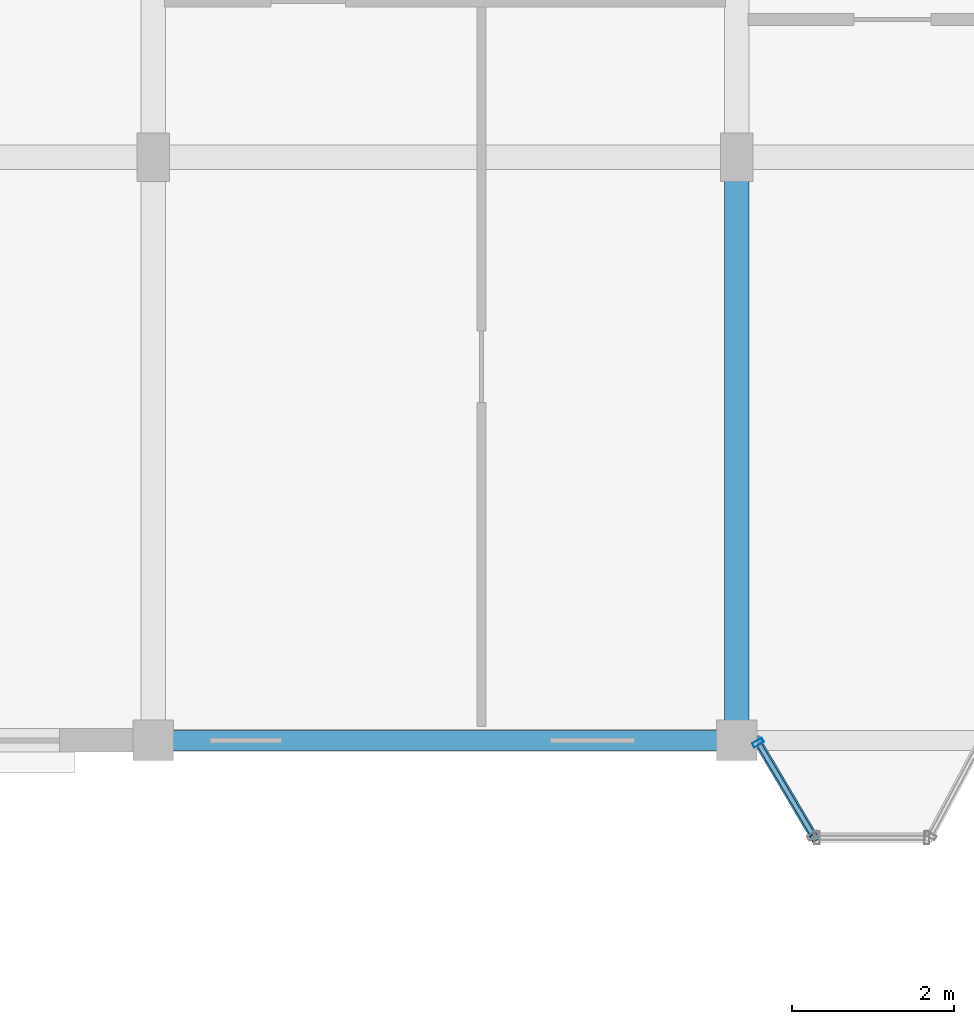
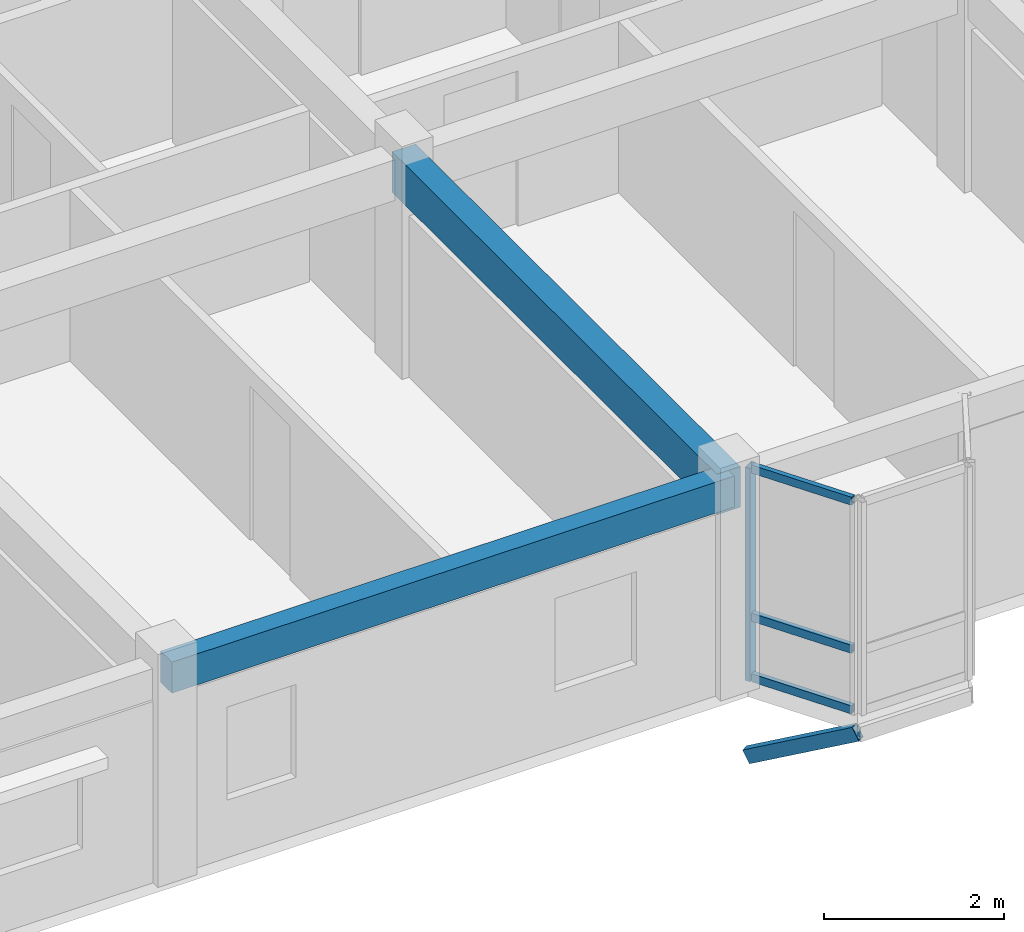
# One storey, part 30 of 65: 5 members, 2 beams, 1 element without a shape of its own.
"""IFC4 building model written with IfcOpenShell, lengths in metres."""

from ifc_helpers import new_model, si_unit, direction, frame, origin, origin_2d, place, context, subcontext, project, spatial, rectangle, hollow_rectangle, extrude, material, layer, layer_set, material_profile, profile_set, type_object, element, aggregate, save


model = new_model("IFC4")

# Units and contexts
model_context = context("Model", 3, precision=1e-05, world=origin(), true_north=direction((0.0, 1.0)))
body_context = subcontext(model_context, "Body", "Model", "MODEL_VIEW")
ifc_project = project(units=[si_unit("LENGTHUNIT", "METRE"), si_unit("AREAUNIT", "SQUARE_METRE"), si_unit("VOLUMEUNIT", "CUBIC_METRE"), si_unit("PLANEANGLEUNIT", "RADIAN"), si_unit("MASSUNIT", "GRAM", prefix="KILO"), si_unit("THERMODYNAMICTEMPERATUREUNIT", "KELVIN"), si_unit("POWERUNIT", "WATT")], contexts=[model_context])

# Site, building, storey
site_placement = place(None, origin())
site = spatial("IfcSite", under=ifc_project, at=site_placement, CompositionType="ELEMENT")
building_placement = place(site_placement, origin())
building = spatial("IfcBuilding", under=site, at=building_placement, Name="Tavuni Mirador Residences", CompositionType="ELEMENT")
storey_placement = place(building_placement, frame((0.0, 0.0, 29.699951171875)))
storey = spatial("IfcBuildingStorey", under=building, at=storey_placement, Name="L09", CompositionType="ELEMENT", Elevation=29.699951171875)

# Beams
ifc_material_1 = material(Name="Precast concrete C40/50", Category="concrete")
ifc_material_profile_1 = material_profile(ifc_material_1, rectangle(XDim=0.300048828125, YDim=0.550048828125, at=origin_2d()), Name="PC 300x550", Category="concrete")
ifc_profile_set_1 = profile_set([ifc_material_profile_1], Name="Precast concrete C40/50")
beam_type_1 = type_object("IfcBeamType", Name="BT-B550", PredefinedType="BEAM", material=ifc_profile_set_1)
beam_1_placement = place(storey_placement, frame((32.39990234375, 144.0, 2.610107421875), z_axis=(0.0, 1.0, 0.0), x_axis=(-1.0, 0.0, 0.0)))
element("IfcBeam", 1, at=beam_1_placement, inside=storey, type_object=beam_type_1, Name="BMY-BLK-C-L09-03-00", PredefinedType="BEAM", context=body_context, shape_type="SweptSolid", body=[
    extrude(rectangle(XDim=0.300048828125, YDim=0.550048828125, at=origin_2d()), origin(), (0.0, 0.0, 1.0), 7.199951171875),
])
ifc_material_profile_2 = material_profile(ifc_material_1, rectangle(XDim=0.25, YDim=0.419921875, at=origin_2d()), Name="PC 250x420", Category="concrete")
ifc_profile_set_2 = profile_set([ifc_material_profile_2], Name="Precast concrete C40/50")
beam_type_2 = type_object("IfcBeamType", Name="BT-SP420", PredefinedType="SPANDREL", material=ifc_profile_set_2)
beam_2_placement = place(storey_placement, frame((25.199951171875, 144.0, 2.675048828125), z_axis=(1.0, 0.0, 0.0), x_axis=(0.0, 1.0, 0.0)))
element("IfcBeam", 2, at=beam_2_placement, inside=storey, type_object=beam_type_2, Name="BMX-BLK-C-L09-02-00", PredefinedType="SPANDREL", context=body_context, shape_type="SweptSolid", body=[
    extrude(rectangle(XDim=0.25, YDim=0.419921875, at=origin_2d()), origin(), (0.0, 0.0, 1.0), 7.199951171875),
])

# Curtain wall, members
ifc_material_2 = material(Name="Anodised aluminium", Category="aluminium")
ifc_layer = layer(ifc_material_2, 0.1650390625, Name="Anodised aluminium", Category="aluminium")
ifc_layer_set = layer_set([ifc_layer], Name="Anodised aluminium")
curtain_wall_type = type_object("IfcCurtainWallType", Name="CWT-MIR-A", PredefinedType="NOTDEFINED", material=ifc_layer_set)
curtain_wall_placement = place(storey_placement, origin())
curtain_wall = element("IfcCurtainWall", 3, at=curtain_wall_placement, inside=storey, type_object=curtain_wall_type, Name="CW-MIR-C-S2-L09-M1", PredefinedType="NOTDEFINED")
ifc_material_profile_3 = material_profile(ifc_material_2, hollow_rectangle(XDim=0.06005859375, YDim=0.139892578125, WallThickness=0.00390625, at=origin_2d()), Name="ALU 60x140x4.0", Category="aluminium")
ifc_profile_set_3 = profile_set([ifc_material_profile_3], Name="Anodised aluminium")
member_type_1 = type_object("IfcMemberType", Name="CWM-140", PredefinedType="MULLION", material=ifc_profile_set_3)
member_1_placement = place(storey_placement, frame((32.665283203125, 143.97412109375, 0.0), z_axis=(0.0, 0.0, 1.0), x_axis=(0.509212491254, -0.860640830284, 0.0)))
member_1 = element("IfcMember", 4, at=member_1_placement, type_object=member_type_1, Name="CW-01 mullion 1", PredefinedType="MULLION", context=body_context, shape_type="SweptSolid", body=[
    extrude(hollow_rectangle(XDim=0.06005859375, YDim=0.139892578125, WallThickness=0.00390625, at=origin_2d()), origin(), (0.0, 0.0, 1.0), 2.885009765625),
])
ifc_material_profile_4 = material_profile(ifc_material_2, hollow_rectangle(XDim=0.06005859375, YDim=0.110107421875, WallThickness=0.00390625, at=origin_2d()), Name="ALU 60x110x4.0", Category="aluminium")
ifc_profile_set_4 = profile_set([ifc_material_profile_4], Name="Anodised aluminium")
member_type_2 = type_object("IfcMemberType", Name="CWT-110", PredefinedType="USERDEFINED", material=ifc_profile_set_4)
member_2_placement = place(storey_placement, frame((32.6806640625, 143.9482421875, 0.030029296875), z_axis=(0.509103678098, -0.860705202114, 0.0), x_axis=(0.860705202114, 0.509103678098, 0.0)))
member_2 = element("IfcMember", 5, at=member_2_placement, type_object=member_type_2, Name="CW-01 transom 1.1", ObjectType="TRANSOM", PredefinedType="USERDEFINED", context=body_context, shape_type="SweptSolid", body=[
    extrude(hollow_rectangle(XDim=0.06005859375, YDim=0.110107421875, WallThickness=0.00390625, at=origin_2d()), origin(), (0.0, 0.0, 1.0), 1.274169921875),
])
member_3_placement = place(storey_placement, frame((32.6806640625, 143.9482421875, 0.85009765625), z_axis=(0.509103678098, -0.860705202114, 0.0), x_axis=(0.860705202114, 0.509103678098, 0.0)))
member_3 = element("IfcMember", 6, at=member_3_placement, type_object=member_type_2, Name="CW-01 transom 1.2", ObjectType="TRANSOM", PredefinedType="USERDEFINED", context=body_context, shape_type="SweptSolid", body=[
    extrude(hollow_rectangle(XDim=0.06005859375, YDim=0.110107421875, WallThickness=0.00390625, at=origin_2d()), origin(), (0.0, 0.0, 1.0), 1.274169921875),
])
member_4_placement = place(storey_placement, frame((32.6806640625, 143.9482421875, 2.85498046875), z_axis=(0.509103678098, -0.860705202114, 0.0), x_axis=(0.860705202114, 0.509103678098, 0.0)))
member_4 = element("IfcMember", 7, at=member_4_placement, type_object=member_type_2, Name="CW-01 transom 1.3", ObjectType="TRANSOM", PredefinedType="USERDEFINED", context=body_context, shape_type="SweptSolid", body=[
    extrude(hollow_rectangle(XDim=0.06005859375, YDim=0.110107421875, WallThickness=0.00390625, at=origin_2d()), origin(), (0.0, 0.0, 1.0), 1.274169921875),
])
aggregate(curtain_wall, [member_1, member_2, member_3, member_4])

# Member
ifc_material_3 = material(Name="Structural steel S355", Category="steel")
ifc_material_profile_5 = material_profile(ifc_material_3, hollow_rectangle(XDim=0.10009765625, YDim=0.179931640625, WallThickness=0.008056640625, at=origin_2d()), Name="RHS 180x100x8.0", Category="steel")
ifc_profile_set_5 = profile_set([ifc_material_profile_5], Name="Structural steel S355")
member_type_3 = type_object("IfcMemberType", Name="MT-BR-RHS180", PredefinedType="BRACE", material=ifc_profile_set_5)
member_5_placement = place(storey_placement, frame((32.64990234375, 144.0, -1.050048828125), z_axis=(0.443813651759, -0.749860466962, 0.490651324873), x_axis=(0.860567285497, 0.509336771823, 0.0)))
element("IfcMember", 8, at=member_5_placement, inside=storey, type_object=member_type_3, Name="MBRK-MIR-C-S2-L09-1", PredefinedType="BRACE", context=body_context, shape_type="SweptSolid", body=[
    extrude(hollow_rectangle(XDim=0.10009765625, YDim=0.179931640625, WallThickness=0.008056640625, at=origin_2d()), origin(), (0.0, 0.0, 1.0), 1.600341796875),
])

save(model, "model.ifc")
